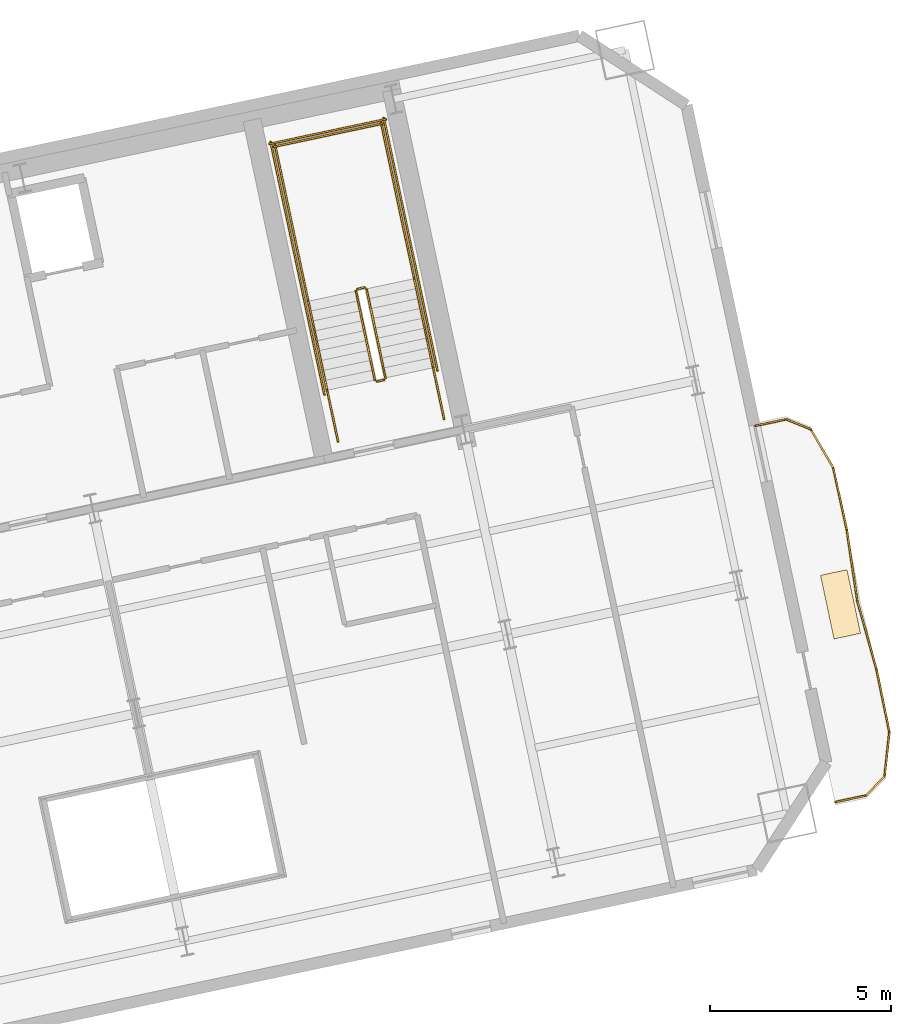
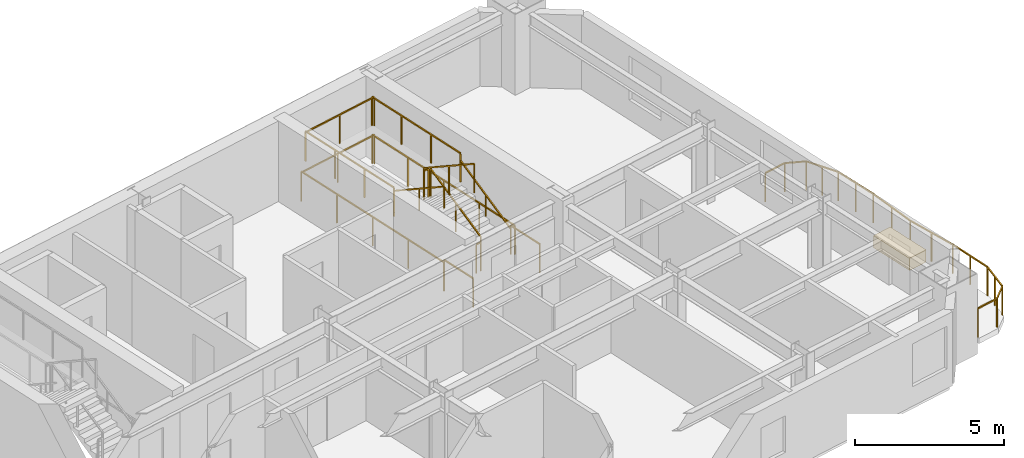
# One storey, part 14 of 14: 24 railings, 1 covering.
"""IFC4 building model written with IfcOpenShell, lengths in metres."""

from ifc_helpers import new_model, si_unit, direction, frame, origin, origin_2d, place, context, subcontext, project, spatial, rectangle, extrude, material, layer, layer_set, type_object, element, save


model = new_model("IFC4")

# Units and contexts
model_context = context("Model", 3, precision=1e-05, world=origin(), true_north=direction((0.0, 1.0)))
body_context = subcontext(model_context, "Body", "Model", "MODEL_VIEW")
ifc_project = project(units=[si_unit("LENGTHUNIT", "METRE"), si_unit("AREAUNIT", "SQUARE_METRE"), si_unit("VOLUMEUNIT", "CUBIC_METRE"), si_unit("PLANEANGLEUNIT", "RADIAN"), si_unit("MASSUNIT", "GRAM", prefix="KILO")], contexts=[model_context])

# Site, building, storey
site_placement = place(None, origin())
site = spatial("IfcSite", under=ifc_project, at=site_placement, CompositionType="ELEMENT")
building_placement = place(site_placement, origin())
building = spatial("IfcBuilding", under=site, at=building_placement, Name="Haevon Station Towers", CompositionType="ELEMENT")
storey_placement = place(building_placement, frame((0.0, 0.0, 119.699951171875)))
storey = spatial("IfcBuildingStorey", under=building, at=storey_placement, Name="L32", CompositionType="ELEMENT", Elevation=119.699951171875)

# Railings
ifc_material_1 = material(Name="Steel S355", Category="steel")
railing_type_1 = type_object("IfcRailingType", Name="GRD-EXT1200", PredefinedType="GUARDRAIL", material=ifc_material_1)
railing_1_placement = place(storey_placement, frame((129.5849609375, 31.5009765625, 0.0)))
element("IfcRailing", 1, at=railing_1_placement, inside=storey, type_object=railing_type_1, Name="L32 Perimeter Guardrail 1", PredefinedType="GUARDRAIL", context=body_context, shape_type="SweptSolid", body=[
    extrude(rectangle(XDim=0.048095703125, YDim=0.048095703125, at=origin_2d()), frame((0.0, 0.0, 1.17578125), z_axis=(0.977695451476, 0.210027627141, 0.0), x_axis=(-0.210027627141, 0.977695451476, 0.0)), (0.0, 0.0, 1.0), 0.869384765625),
    extrude(rectangle(XDim=0.0419921875, YDim=0.0419921875, at=origin_2d()), origin(), (0.0, 0.0, 1.0), 1.15185546875),
    extrude(rectangle(XDim=0.0419921875, YDim=0.0419921875, at=origin_2d()), frame((0.85009765625, 0.1826171875, 0.0)), (0.0, 0.0, 1.0), 1.15185546875),
])
railing_2_placement = place(storey_placement, frame((130.43505859375, 31.68359375, 0.0)))
element("IfcRailing", 2, at=railing_2_placement, inside=storey, type_object=railing_type_1, Name="L32 Perimeter Guardrail 2", PredefinedType="GUARDRAIL", context=body_context, shape_type="SweptSolid", body=[
    extrude(rectangle(XDim=0.048095703125, YDim=0.048095703125, at=origin_2d()), frame((0.0, 0.0, 1.17578125), z_axis=(0.693494519619, 0.720461901323, 0.0), x_axis=(-0.720461901323, 0.693494519619, 0.0)), (0.0, 0.0, 1.0), 0.7333984375),
    extrude(rectangle(XDim=0.0419921875, YDim=0.0419921875, at=origin_2d()), origin(), (0.0, 0.0, 1.0), 1.15185546875),
    extrude(rectangle(XDim=0.0419921875, YDim=0.0419921875, at=origin_2d()), frame((0.508544921875, 0.5283203125, 0.0)), (0.0, 0.0, 1.0), 1.15185546875),
])
railing_3_placement = place(storey_placement, frame((130.943603515625, 32.2119140625, 0.0)))
element("IfcRailing", 3, at=railing_3_placement, inside=storey, type_object=railing_type_1, Name="L32 Perimeter Guardrail 3", PredefinedType="GUARDRAIL", context=body_context, shape_type="SweptSolid", body=[
    extrude(rectangle(XDim=0.048095703125, YDim=0.048095703125, at=origin_2d()), frame((0.0, 0.0, 1.17578125), z_axis=(0.107863215948, 0.994165744051, 0.0), x_axis=(-0.994165744051, 0.107863215948, 0.0)), (0.0, 0.0, 1.0), 1.231201171875),
    extrude(rectangle(XDim=0.0419921875, YDim=0.0419921875, at=origin_2d()), origin(), (0.0, 0.0, 1.0), 1.15185546875),
    extrude(rectangle(XDim=0.0419921875, YDim=0.0419921875, at=origin_2d()), frame((0.06640625, 0.612060546875, 0.0)), (0.0, 0.0, 1.0), 1.15185546875),
    extrude(rectangle(XDim=0.0419921875, YDim=0.0419921875, at=origin_2d()), frame((0.1328125, 1.22412109375, 0.0)), (0.0, 0.0, 1.0), 1.15185546875),
])
railing_4_placement = place(storey_placement, frame((131.076416015625, 33.43603515625, 0.0)))
element("IfcRailing", 4, at=railing_4_placement, inside=storey, type_object=railing_type_1, Name="L32 Perimeter Guardrail 4", PredefinedType="GUARDRAIL", context=body_context, shape_type="SweptSolid", body=[
    extrude(rectangle(XDim=0.048095703125, YDim=0.048095703125, at=origin_2d()), frame((0.0, 0.0, 1.17578125), z_axis=(-0.201373345477, 0.979514561266, 0.0), x_axis=(-0.979514561266, -0.201373345477, 0.0)), (0.0, 0.0, 1.0), 1.74951171875),
    extrude(rectangle(XDim=0.0419921875, YDim=0.0419921875, at=origin_2d()), origin(), (0.0, 0.0, 1.0), 1.15185546875),
    extrude(rectangle(XDim=0.0419921875, YDim=0.0419921875, at=origin_2d()), frame((-0.17626953125, 0.85693359375, 0.0)), (0.0, 0.0, 1.0), 1.15185546875),
    extrude(rectangle(XDim=0.0419921875, YDim=0.0419921875, at=origin_2d()), frame((-0.352294921875, 1.713623046875, 0.0)), (0.0, 0.0, 1.0), 1.15185546875),
])
railing_5_placement = place(storey_placement, frame((130.72412109375, 35.149658203125, 0.0)))
element("IfcRailing", 5, at=railing_5_placement, inside=storey, type_object=railing_type_1, Name="L32 Perimeter Guardrail 5", PredefinedType="GUARDRAIL", context=body_context, shape_type="SweptSolid", body=[
    extrude(rectangle(XDim=0.048095703125, YDim=0.048095703125, at=origin_2d()), frame((0.0, 0.0, 1.17578125), z_axis=(-0.268894073519, 0.963169755145, 0.0), x_axis=(-0.963169755145, -0.268894073519, 0.0)), (0.0, 0.0, 1.0), 1.993896484375),
    extrude(rectangle(XDim=0.0419921875, YDim=0.0419921875, at=origin_2d()), origin(), (0.0, 0.0, 1.0), 1.15185546875),
    extrude(rectangle(XDim=0.0419921875, YDim=0.0419921875, at=origin_2d()), frame((-0.26806640625, 0.960205078125, 0.0)), (0.0, 0.0, 1.0), 1.15185546875),
    extrude(rectangle(XDim=0.0419921875, YDim=0.0419921875, at=origin_2d()), frame((-0.5361328125, 1.92041015625, 0.0)), (0.0, 0.0, 1.0), 1.15185546875),
])
railing_6_placement = place(storey_placement, frame((130.18798828125, 37.070068359375, 0.0)))
element("IfcRailing", 6, at=railing_6_placement, inside=storey, type_object=railing_type_1, Name="L32 Perimeter Guardrail 6", PredefinedType="GUARDRAIL", context=body_context, shape_type="SweptSolid", body=[
    extrude(rectangle(XDim=0.048095703125, YDim=0.048095703125, at=origin_2d()), frame((0.0, 0.0, 1.17578125), z_axis=(-0.14608267793, 0.98927238474, 0.0), x_axis=(-0.98927238474, -0.14608267793, 0.0)), (0.0, 0.0, 1.0), 1.993896484375),
    extrude(rectangle(XDim=0.0419921875, YDim=0.0419921875, at=origin_2d()), origin(), (0.0, 0.0, 1.0), 1.15185546875),
    extrude(rectangle(XDim=0.0419921875, YDim=0.0419921875, at=origin_2d()), frame((-0.1455078125, 0.986328125, 0.0)), (0.0, 0.0, 1.0), 1.15185546875),
    extrude(rectangle(XDim=0.0419921875, YDim=0.0419921875, at=origin_2d()), frame((-0.291259765625, 1.972412109375, 0.0)), (0.0, 0.0, 1.0), 1.15185546875),
])
railing_7_placement = place(storey_placement, frame((129.896728515625, 39.04248046875, 0.0)))
element("IfcRailing", 7, at=railing_7_placement, inside=storey, type_object=railing_type_1, Name="L32 Perimeter Guardrail 7", PredefinedType="GUARDRAIL", context=body_context, shape_type="SweptSolid", body=[
    extrude(rectangle(XDim=0.048095703125, YDim=0.048095703125, at=origin_2d()), frame((0.0, 0.0, 1.17578125), z_axis=(-0.214491722327, 0.976725806485, 0.0), x_axis=(-0.976725806485, -0.214491722327, 0.0)), (0.0, 0.0, 1.0), 1.74951171875),
    extrude(rectangle(XDim=0.0419921875, YDim=0.0419921875, at=origin_2d()), origin(), (0.0, 0.0, 1.0), 1.15185546875),
    extrude(rectangle(XDim=0.0419921875, YDim=0.0419921875, at=origin_2d()), frame((-0.1875, 0.8544921875, 0.0)), (0.0, 0.0, 1.0), 1.15185546875),
    extrude(rectangle(XDim=0.0419921875, YDim=0.0419921875, at=origin_2d()), frame((-0.375244140625, 1.708740234375, 0.0)), (0.0, 0.0, 1.0), 1.15185546875),
])
railing_8_placement = place(storey_placement, frame((129.521484375, 40.751220703125, 0.0)))
element("IfcRailing", 8, at=railing_8_placement, inside=storey, type_object=railing_type_1, Name="L32 Perimeter Guardrail 8", PredefinedType="GUARDRAIL", context=body_context, shape_type="SweptSolid", body=[
    extrude(rectangle(XDim=0.048095703125, YDim=0.048095703125, at=origin_2d()), frame((0.0, 0.0, 1.17578125), z_axis=(-0.502872029842, 0.864360874637, 0.0), x_axis=(-0.864360874637, -0.502872029842, 0.0)), (0.0, 0.0, 1.0), 1.231201171875),
    extrude(rectangle(XDim=0.0419921875, YDim=0.0419921875, at=origin_2d()), origin(), (0.0, 0.0, 1.0), 1.15185546875),
    extrude(rectangle(XDim=0.0419921875, YDim=0.0419921875, at=origin_2d()), frame((-0.3095703125, 0.5322265625, 0.0)), (0.0, 0.0, 1.0), 1.15185546875),
    extrude(rectangle(XDim=0.0419921875, YDim=0.0419921875, at=origin_2d()), frame((-0.619140625, 1.064208984375, 0.0)), (0.0, 0.0, 1.0), 1.15185546875),
])
railing_9_placement = place(storey_placement, frame((128.90234375, 41.8154296875, 0.0)))
element("IfcRailing", 9, at=railing_9_placement, inside=storey, type_object=railing_type_1, Name="L32 Perimeter Guardrail 9", PredefinedType="GUARDRAIL", context=body_context, shape_type="SweptSolid", body=[
    extrude(rectangle(XDim=0.048095703125, YDim=0.048095703125, at=origin_2d()), frame((0.0, 0.0, 1.17578125), z_axis=(-0.926419413444, 0.37649312131, 0.0), x_axis=(-0.37649312131, -0.926419413444, 0.0)), (0.0, 0.0, 1.0), 0.7333984375),
    extrude(rectangle(XDim=0.0419921875, YDim=0.0419921875, at=origin_2d()), origin(), (0.0, 0.0, 1.0), 1.15185546875),
    extrude(rectangle(XDim=0.0419921875, YDim=0.0419921875, at=origin_2d()), frame((-0.679443359375, 0.276123046875, 0.0)), (0.0, 0.0, 1.0), 1.15185546875),
])
railing_10_placement = place(storey_placement, frame((128.222900390625, 42.091552734375, 0.0)))
element("IfcRailing", 10, at=railing_10_placement, inside=storey, type_object=railing_type_1, Name="L32 Perimeter Guardrail 10", PredefinedType="GUARDRAIL", context=body_context, shape_type="SweptSolid", body=[
    extrude(rectangle(XDim=0.048095703125, YDim=0.048095703125, at=origin_2d()), frame((0.0, 0.0, 1.17578125), z_axis=(-0.978588498747, -0.205826504901, 0.0), x_axis=(0.205826504901, -0.978588498747, 0.0)), (0.0, 0.0, 1.0), 0.869384765625),
    extrude(rectangle(XDim=0.0419921875, YDim=0.0419921875, at=origin_2d()), origin(), (0.0, 0.0, 1.0), 1.15185546875),
    extrude(rectangle(XDim=0.0419921875, YDim=0.0419921875, at=origin_2d()), frame((-0.850830078125, -0.178955078125, 0.0)), (0.0, 0.0, 1.0), 1.15185546875),
])
railing_type_2 = type_object("IfcRailingType", Name="GRD-STR1200", PredefinedType="GUARDRAIL", material=ifc_material_1)
railing_11_placement = place(storey_placement, frame((117.128662109375, 43.23974609375, 0.1650390625)))
element("IfcRailing", 11, at=railing_11_placement, inside=storey, type_object=railing_type_2, Name="L32 ST4 Stair Guard 1", PredefinedType="GUARDRAIL", context=body_context, shape_type="SweptSolid", body=[
    extrude(rectangle(XDim=0.048095703125, YDim=0.048095703125, at=origin_2d()), frame((0.0, 0.0, 1.17578125), z_axis=(-0.179121265225, 0.842687928106, 0.507732831485), x_axis=(-0.978147030254, -0.207914374695, 0.0)), (0.0, 0.0, 1.0), 2.925048828125),
    extrude(rectangle(XDim=0.0419921875, YDim=0.0419921875, at=origin_2d()), origin(), (0.0, 0.0, 1.0), 1.15185546875),
    extrude(rectangle(XDim=0.0419921875, YDim=0.0419921875, at=origin_2d()), frame((-0.261962890625, 1.232421875, 0.74267578125)), (0.0, 0.0, 1.0), 1.15185546875),
    extrude(rectangle(XDim=0.0419921875, YDim=0.0419921875, at=origin_2d()), frame((-0.52392578125, 2.46484375, 1.485107421875)), (0.0, 0.0, 1.0), 1.15185546875),
])
railing_12_placement = place(storey_placement, frame((116.54541015625, 45.7431640625, 1.650146484375)))
element("IfcRailing", 12, at=railing_12_placement, inside=storey, type_object=railing_type_2, Name="L32 ST4 Stair Guard 2", PredefinedType="GUARDRAIL", context=body_context, shape_type="SweptSolid", body=[
    extrude(rectangle(XDim=0.048095703125, YDim=0.048095703125, at=origin_2d()), frame((0.0, 0.0, 1.17578125), z_axis=(-0.97826412705, -0.207362720198, 0.0), x_axis=(0.207362720198, -0.97826412705, 0.0)), (0.0, 0.0, 1.0), 0.2001953125),
    extrude(rectangle(XDim=0.0419921875, YDim=0.0419921875, at=origin_2d()), origin(), (0.0, 0.0, 1.0), 1.15185546875),
    extrude(rectangle(XDim=0.0419921875, YDim=0.0419921875, at=origin_2d()), frame((-0.19580078125, -0.04150390625, 0.0)), (0.0, 0.0, 1.0), 1.15185546875),
])
railing_13_placement = place(storey_placement, frame((117.925048828125, 45.9853515625, 1.650146484375)))
element("IfcRailing", 13, at=railing_13_placement, inside=storey, type_object=railing_type_2, Name="L32 ST4 Stair Guard 3", PredefinedType="GUARDRAIL", context=body_context, shape_type="SweptSolid", body=[
    extrude(rectangle(XDim=0.048095703125, YDim=0.048095703125, at=origin_2d()), frame((0.0, 0.0, 1.17578125), z_axis=(-0.207876551949, 0.978155069071, 0.0), x_axis=(-0.978155069071, -0.207876551949, 0.0)), (0.0, 0.0, 1.0), 4.429931640625),
    extrude(rectangle(XDim=0.0419921875, YDim=0.0419921875, at=origin_2d()), origin(), (0.0, 0.0, 1.0), 1.15185546875),
    extrude(rectangle(XDim=0.0419921875, YDim=0.0419921875, at=origin_2d()), frame((-0.306884765625, 1.4443359375, 0.0)), (0.0, 0.0, 1.0), 1.15185546875),
    extrude(rectangle(XDim=0.0419921875, YDim=0.0419921875, at=origin_2d()), frame((-0.614013671875, 2.888916015625, 0.0)), (0.0, 0.0, 1.0), 1.15185546875),
    extrude(rectangle(XDim=0.0419921875, YDim=0.0419921875, at=origin_2d()), frame((-0.9208984375, 4.333251953125, 0.0)), (0.0, 0.0, 1.0), 1.15185546875),
])
railing_14_placement = place(storey_placement, frame((114.99072265625, 45.361572265625, 1.650146484375)))
element("IfcRailing", 14, at=railing_14_placement, inside=storey, type_object=railing_type_2, Name="L32 ST4 Stair Guard 4", PredefinedType="GUARDRAIL", context=body_context, shape_type="SweptSolid", body=[
    extrude(rectangle(XDim=0.048095703125, YDim=0.048095703125, at=origin_2d()), frame((0.0, 0.0, 1.17578125), z_axis=(-0.207929280007, 0.978143861871, 0.0), x_axis=(-0.978143861871, -0.207929280007, 0.0)), (0.0, 0.0, 1.0), 4.43017578125),
    extrude(rectangle(XDim=0.0419921875, YDim=0.0419921875, at=origin_2d()), origin(), (0.0, 0.0, 1.0), 1.15185546875),
    extrude(rectangle(XDim=0.0419921875, YDim=0.0419921875, at=origin_2d()), frame((-0.30712890625, 1.4443359375, 0.0)), (0.0, 0.0, 1.0), 1.15185546875),
    extrude(rectangle(XDim=0.0419921875, YDim=0.0419921875, at=origin_2d()), frame((-0.614013671875, 2.888916015625, 0.0)), (0.0, 0.0, 1.0), 1.15185546875),
    extrude(rectangle(XDim=0.0419921875, YDim=0.0419921875, at=origin_2d()), frame((-0.921142578125, 4.333251953125, 0.0)), (0.0, 0.0, 1.0), 1.15185546875),
])
railing_15_placement = place(storey_placement, frame((117.0634765625, 50.280029296875, 1.650146484375)))
element("IfcRailing", 15, at=railing_15_placement, inside=storey, type_object=railing_type_2, Name="L32 ST4 Stair Guard 5", PredefinedType="GUARDRAIL", context=body_context, shape_type="SweptSolid", body=[
    extrude(rectangle(XDim=0.048095703125, YDim=0.048095703125, at=origin_2d()), frame((0.0, 0.0, 1.17578125), z_axis=(-0.978146839882, -0.207915270313, 0.0), x_axis=(0.207915270313, -0.978146839882, 0.0)), (0.0, 0.0, 1.0), 3.099853515625),
    extrude(rectangle(XDim=0.0419921875, YDim=0.0419921875, at=origin_2d()), origin(), (0.0, 0.0, 1.0), 1.15185546875),
    extrude(rectangle(XDim=0.0419921875, YDim=0.0419921875, at=origin_2d()), frame((-1.51611328125, -0.322265625, 0.0)), (0.0, 0.0, 1.0), 1.15185546875),
    extrude(rectangle(XDim=0.0419921875, YDim=0.0419921875, at=origin_2d()), frame((-3.0322265625, -0.64453125, 0.0)), (0.0, 0.0, 1.0), 1.15185546875),
])
railing_16_placement = place(storey_placement, frame((116.311279296875, 45.642333984375, 1.81494140625)))
element("IfcRailing", 16, at=railing_16_placement, inside=storey, type_object=railing_type_2, Name="L32 ST4 Stair Guard 6", PredefinedType="GUARDRAIL", context=body_context, shape_type="SweptSolid", body=[
    extrude(rectangle(XDim=0.048095703125, YDim=0.048095703125, at=origin_2d()), frame((0.0, 0.0, 1.17578125), z_axis=(0.179108667068, -0.842712120868, 0.50769712105), x_axis=(0.978151217824, 0.207894673017, 0.0)), (0.0, 0.0, 1.0), 2.92529296875),
    extrude(rectangle(XDim=0.0419921875, YDim=0.0419921875, at=origin_2d()), origin(), (0.0, 0.0, 1.0), 1.15185546875),
    extrude(rectangle(XDim=0.0419921875, YDim=0.0419921875, at=origin_2d()), frame((0.261962890625, -1.232421875, 0.74267578125)), (0.0, 0.0, 1.0), 1.15185546875),
    extrude(rectangle(XDim=0.0419921875, YDim=0.0419921875, at=origin_2d()), frame((0.52392578125, -2.465087890625, 1.485107421875)), (0.0, 0.0, 1.0), 1.15185546875),
])
railing_17_placement = place(storey_placement, frame((117.090087890625, 43.180419921875, 0.0)))
element("IfcRailing", 17, at=railing_17_placement, inside=storey, type_object=railing_type_2, Name="L32 ST4 Stair Guard 7", PredefinedType="GUARDRAIL", context=body_context, shape_type="SweptSolid", body=[
    extrude(rectangle(XDim=0.048095703125, YDim=0.048095703125, at=origin_2d()), frame((0.0, 0.0, 1.17578125), z_axis=(-0.978211583308, -0.207610448392, 0.0), x_axis=(0.207610448392, -0.978211583308, 0.0)), (0.0, 0.0, 1.0), 0.199951171875),
    extrude(rectangle(XDim=0.0419921875, YDim=0.0419921875, at=origin_2d()), origin(), (0.0, 0.0, 1.0), 1.15185546875),
    extrude(rectangle(XDim=0.0419921875, YDim=0.0419921875, at=origin_2d()), frame((-0.195556640625, -0.04150390625, 0.0)), (0.0, 0.0, 1.0), 1.15185546875),
])
for number, where, name in (
    (18, (118.75048828125, 42.10205078125, 0.0), "L32 ST4 Stair Guard 8"),
    (19, (115.816162109375, 41.478271484375, 0.0), "L32 ST4 Stair Guard 9"),
):
    element("IfcRailing", number, at=place(storey_placement, frame(where)), inside=storey, type_object=railing_type_2, Name=name, PredefinedType="GUARDRAIL", context=body_context, shape_type="SweptSolid", body=[
        extrude(rectangle(XDim=0.048095703125, YDim=0.048095703125, at=origin_2d()), frame((0.0, 0.0, 1.17578125), z_axis=(-0.207919161079, 0.978146012851, 0.0), x_axis=(-0.978146012851, -0.207919161079, 0.0)), (0.0, 0.0, 1.0), 1.4501953125),
        extrude(rectangle(XDim=0.0419921875, YDim=0.0419921875, at=origin_2d()), origin(), (0.0, 0.0, 1.0), 1.15185546875),
        extrude(rectangle(XDim=0.0419921875, YDim=0.0419921875, at=origin_2d()), frame((-0.301513671875, 1.41845703125, 0.0)), (0.0, 0.0, 1.0), 1.15185546875),
    ])
railing_18_placement = place(storey_placement, frame((118.567626953125, 43.443359375, 0.0)))
element("IfcRailing", 20, at=railing_18_placement, inside=storey, type_object=railing_type_2, Name="L32 ST4 Stair Guard 10", PredefinedType="GUARDRAIL", context=body_context, shape_type="SweptSolid", body=[
    extrude(rectangle(XDim=0.048095703125, YDim=0.048095703125, at=origin_2d()), frame((0.0, 0.0, 1.17578125), z_axis=(-0.207908168386, 0.978148349443, 0.0), x_axis=(-0.978148349443, -0.207908168386, 0.0)), (0.0, 0.0, 1.0), 7.150146484375),
    extrude(rectangle(XDim=0.0419921875, YDim=0.0419921875, at=origin_2d()), origin(), (0.0, 0.0, 1.0), 1.15185546875),
    extrude(rectangle(XDim=0.0419921875, YDim=0.0419921875, at=origin_2d()), frame((-0.37158203125, 1.74853515625, 0.0)), (0.0, 0.0, 1.0), 1.15185546875),
    extrude(rectangle(XDim=0.0419921875, YDim=0.0419921875, at=origin_2d()), frame((-0.7431640625, 3.4970703125, 0.0)), (0.0, 0.0, 1.0), 1.15185546875),
    extrude(rectangle(XDim=0.0419921875, YDim=0.0419921875, at=origin_2d()), frame((-1.114990234375, 5.245361328125, 0.0)), (0.0, 0.0, 1.0), 1.15185546875),
    extrude(rectangle(XDim=0.0419921875, YDim=0.0419921875, at=origin_2d()), frame((-1.486572265625, 6.993896484375, 0.0)), (0.0, 0.0, 1.0), 1.15185546875),
])
railing_19_placement = place(storey_placement, frame((115.4375, 42.778076171875, 0.0)))
element("IfcRailing", 21, at=railing_19_placement, inside=storey, type_object=railing_type_2, Name="L32 ST4 Stair Guard 11", PredefinedType="GUARDRAIL", context=body_context, shape_type="SweptSolid", body=[
    extrude(rectangle(XDim=0.048095703125, YDim=0.048095703125, at=origin_2d()), frame((0.0, 0.0, 1.17578125), z_axis=(-0.207882442208, 0.978153817261, 0.0), x_axis=(-0.978153817261, -0.207882442208, 0.0)), (0.0, 0.0, 1.0), 7.14990234375),
    extrude(rectangle(XDim=0.0419921875, YDim=0.0419921875, at=origin_2d()), origin(), (0.0, 0.0, 1.0), 1.15185546875),
    extrude(rectangle(XDim=0.0419921875, YDim=0.0419921875, at=origin_2d()), frame((-0.37158203125, 1.74853515625, 0.0)), (0.0, 0.0, 1.0), 1.15185546875),
    extrude(rectangle(XDim=0.0419921875, YDim=0.0419921875, at=origin_2d()), frame((-0.7431640625, 3.496826171875, 0.0)), (0.0, 0.0, 1.0), 1.15185546875),
    extrude(rectangle(XDim=0.0419921875, YDim=0.0419921875, at=origin_2d()), frame((-1.11474609375, 5.2451171875, 0.0)), (0.0, 0.0, 1.0), 1.15185546875),
    extrude(rectangle(XDim=0.0419921875, YDim=0.0419921875, at=origin_2d()), frame((-1.486328125, 6.99365234375, 0.0)), (0.0, 0.0, 1.0), 1.15185546875),
])
railing_20_placement = place(storey_placement, frame((117.140380859375, 50.398681640625, 0.0)))
element("IfcRailing", 22, at=railing_20_placement, inside=storey, type_object=railing_type_2, Name="L32 ST4 Stair Guard 12", PredefinedType="GUARDRAIL", context=body_context, shape_type="SweptSolid", body=[
    extrude(rectangle(XDim=0.048095703125, YDim=0.048095703125, at=origin_2d()), frame((0.0, 0.0, 1.17578125), z_axis=(-0.978135717418, -0.207967589567, 0.0), x_axis=(0.207967589567, -0.978135717418, 0.0)), (0.0, 0.0, 1.0), 3.300048828125),
    extrude(rectangle(XDim=0.0419921875, YDim=0.0419921875, at=origin_2d()), origin(), (0.0, 0.0, 1.0), 1.15185546875),
    extrude(rectangle(XDim=0.0419921875, YDim=0.0419921875, at=origin_2d()), frame((-1.61376953125, -0.34326171875, 0.0)), (0.0, 0.0, 1.0), 1.15185546875),
    extrude(rectangle(XDim=0.0419921875, YDim=0.0419921875, at=origin_2d()), frame((-3.227783203125, -0.686279296875, 0.0)), (0.0, 0.0, 1.0), 1.15185546875),
])
railing_type_3 = type_object("IfcRailingType", Name="HND-STR900", PredefinedType="HANDRAIL", material=ifc_material_1)
railing_21_placement = place(storey_placement, frame((118.448974609375, 43.5205078125, 0.1650390625)))
element("IfcRailing", 23, at=railing_21_placement, inside=storey, type_object=railing_type_3, Name="L32 ST4 Stair Handrail 1", PredefinedType="HANDRAIL", context=body_context, shape_type="SweptSolid", body=[
    extrude(rectangle(XDim=0.048095703125, YDim=0.048095703125, at=origin_2d()), frame((0.0, 0.0, 0.8759765625), z_axis=(-0.179121265225, 0.842687928106, 0.507732831485), x_axis=(-0.978147030254, -0.207914374695, 0.0)), (0.0, 0.0, 1.0), 2.925048828125),
    extrude(rectangle(XDim=0.0419921875, YDim=0.0419921875, at=origin_2d()), origin(), (0.0, 0.0, 1.0), 0.851806640625),
    extrude(rectangle(XDim=0.0419921875, YDim=0.0419921875, at=origin_2d()), frame((-0.261962890625, 1.232421875, 0.74267578125)), (0.0, 0.0, 1.0), 0.851806640625),
    extrude(rectangle(XDim=0.0419921875, YDim=0.0419921875, at=origin_2d()), frame((-0.52392578125, 2.46484375, 1.485107421875)), (0.0, 0.0, 1.0), 0.851806640625),
])
railing_22_placement = place(storey_placement, frame((114.99072265625, 45.361572265625, 1.81494140625)))
element("IfcRailing", 24, at=railing_22_placement, inside=storey, type_object=railing_type_3, Name="L32 ST4 Stair Handrail 2", PredefinedType="HANDRAIL", context=body_context, shape_type="SweptSolid", body=[
    extrude(rectangle(XDim=0.048095703125, YDim=0.048095703125, at=origin_2d()), frame((0.0, 0.0, 0.8759765625), z_axis=(0.179121265225, -0.842687928106, 0.507732831485), x_axis=(0.978147030254, 0.207914374695, 0.0)), (0.0, 0.0, 1.0), 2.925048828125),
    extrude(rectangle(XDim=0.0419921875, YDim=0.0419921875, at=origin_2d()), origin(), (0.0, 0.0, 1.0), 0.851806640625),
    extrude(rectangle(XDim=0.0419921875, YDim=0.0419921875, at=origin_2d()), frame((0.261962890625, -1.232421875, 0.74267578125)), (0.0, 0.0, 1.0), 0.851806640625),
    extrude(rectangle(XDim=0.0419921875, YDim=0.0419921875, at=origin_2d()), frame((0.52392578125, -2.46484375, 1.485107421875)), (0.0, 0.0, 1.0), 0.851806640625),
])

# Covering
ifc_material_2 = material(Name="Architectural planter GRC", Category="concrete")
ifc_layer = layer(ifc_material_2, 0.550048828125)
ifc_layer_set = layer_set([ifc_layer], Name="Architectural planter GRC")
covering_type = type_object("IfcCoveringType", Name="PLN-GRC550", PredefinedType="MOLDING", material=ifc_layer_set)
covering_placement = place(storey_placement, frame((129.724853515625, 36.9716796875, 0.0), z_axis=(0.0, 0.0, 1.0), x_axis=(0.978147600734, 0.207911690818, 0.0)))
element("IfcCovering", 25, at=covering_placement, inside=storey, type_object=covering_type, Name="Tower 2 L32 Scalloped Balcony PLANTER", PredefinedType="MOLDING", context=body_context, shape_type="SweptSolid", body=[
    extrude(rectangle(XDim=0.75, YDim=1.800048828125, at=origin_2d()), origin(), (0.0, 0.0, 1.0), 0.5),
])

save(model, "model.ifc")
